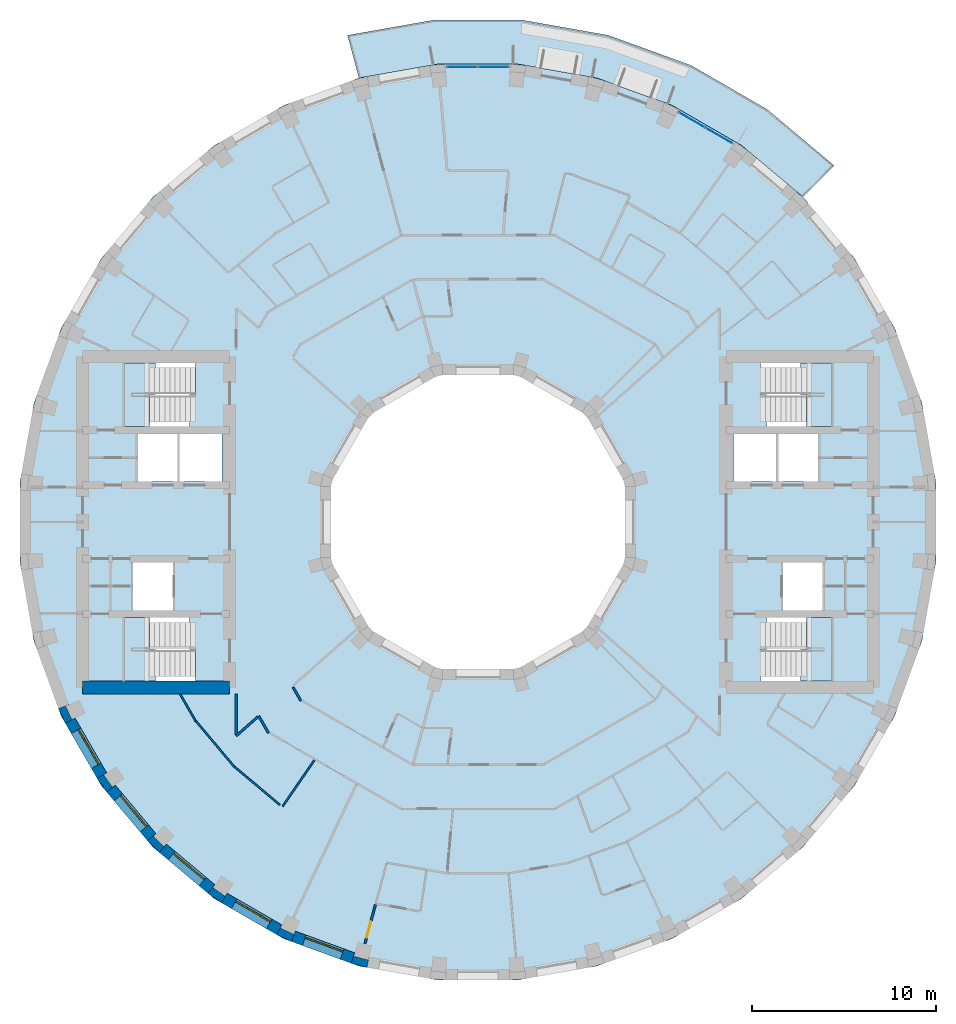
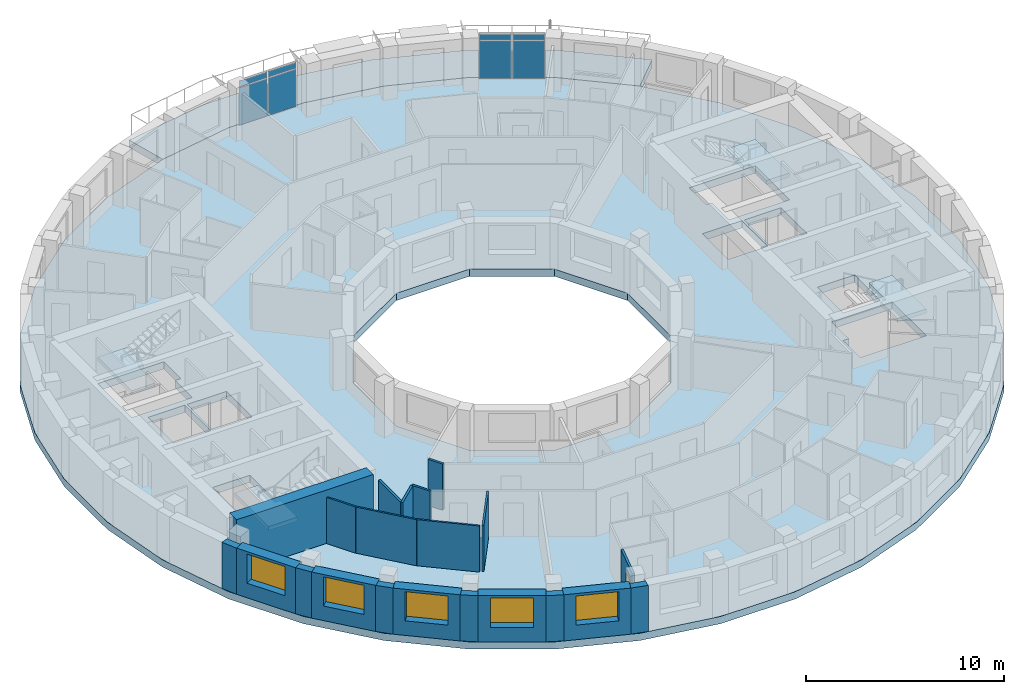
# One storey, part 3 of 13: 21 walls, 8 plates, 6 slabs, 5 windows, 1 door, 6 openings, 6 elements without a shape of their own.
"""IFC4 building model written with IfcOpenShell, lengths in metres."""

from ifc_helpers import new_model, si_unit, direction, frame, frame_2d, origin, origin_2d, place, context, subcontext, project, spatial, polyline, rectangle, outline, extrude, material, layer, layer_set, type_object, element, fill, aggregate, save


model = new_model("IFC4")

# Units and contexts
model_context = context("Model", 3, precision=1e-05, world=origin(), true_north=direction((0.0, 1.0)))
body_context = subcontext(model_context, "Body", "Model", "MODEL_VIEW")
ifc_project = project(units=[si_unit("LENGTHUNIT", "METRE"), si_unit("AREAUNIT", "SQUARE_METRE"), si_unit("VOLUMEUNIT", "CUBIC_METRE"), si_unit("PLANEANGLEUNIT", "RADIAN"), si_unit("MASSUNIT", "GRAM", prefix="KILO")], contexts=[model_context])

# Site, building, storey
site_placement = place(None, origin())
site = spatial("IfcSite", under=ifc_project, at=site_placement, CompositionType="ELEMENT")
building_placement = place(site_placement, origin())
building = spatial("IfcBuilding", under=site, at=building_placement, Name="Saqina Gate Tower", CompositionType="ELEMENT")
storey_placement = place(building_placement, frame((0.0, 0.0, 203.699951171875)))
storey = spatial("IfcBuildingStorey", under=building, at=storey_placement, Name="L58", CompositionType="ELEMENT", Elevation=203.699951171875)

# Curtain wall, plates
ifc_material_1 = material(Name="Aluminium glazing", Category="aluminium")
ifc_layer_1 = layer(ifc_material_1, 0.159912109375)
ifc_layer_set_1 = layer_set([ifc_layer_1], Name="CWT-4")
curtain_wall_type = type_object("IfcCurtainWallType", Name="CWT-4", PredefinedType="NOTDEFINED", material=ifc_layer_set_1)
curtain_wall_1_placement = place(storey_placement, origin())
curtain_wall_1 = element("IfcCurtainWall", 1, at=curtain_wall_1_placement, inside=storey, type_object=curtain_wall_type, Name="Terrace lounge glazing facet 6", PredefinedType="NOTDEFINED")
ifc_material_2 = material(Name="Glass", Category="glass")
ifc_layer_2 = layer(ifc_material_2, 0.028076171875)
ifc_layer_set_2 = layer_set([ifc_layer_2], Name="CWT-4P")
plate_type = type_object("IfcPlateType", Name="CWT-4P", PredefinedType="CURTAIN_PANEL", material=ifc_layer_set_2)
plate_1_placement = place(storey_placement, frame((13.111328125, 21.0146484375, 0.06005859375), z_axis=(0.0, 0.0, 1.0), x_axis=(-0.866017110341, 0.500014364391, 0.0)))
plate_1 = element("IfcPlate", 2, at=plate_1_placement, type_object=plate_type, Name="CW4-06 panel 1.1", PredefinedType="CURTAIN_PANEL", context=body_context, shape_type="SweptSolid", body=[
    extrude(rectangle(XDim=1.634765625, YDim=0.028076171875, at=origin_2d()), origin(), (0.0, 0.0, 1.0), 2.31005859375),
])
plate_2_placement = place(storey_placement, frame((13.111328125, 21.0146484375, 2.43017578125), z_axis=(0.0, 0.0, 1.0), x_axis=(-0.866017110341, 0.500014364391, 0.0)))
plate_2 = element("IfcPlate", 3, at=plate_2_placement, type_object=plate_type, Name="CW4-06 panel 1.2", PredefinedType="CURTAIN_PANEL", context=body_context, shape_type="SweptSolid", body=[
    extrude(rectangle(XDim=1.634765625, YDim=0.028076171875, at=origin_2d()), origin(), (0.0, 0.0, 1.0), 0.360107421875),
])
plate_3_placement = place(storey_placement, frame((11.6435546875, 21.862060546875, 0.06005859375), z_axis=(0.0, 0.0, 1.0), x_axis=(-0.866017110341, 0.500014364391, 0.0)))
plate_3 = element("IfcPlate", 4, at=plate_3_placement, type_object=plate_type, Name="CW4-06 panel 2.1", PredefinedType="CURTAIN_PANEL", context=body_context, shape_type="SweptSolid", body=[
    extrude(rectangle(XDim=1.634765625, YDim=0.028076171875, at=origin_2d()), origin(), (0.0, 0.0, 1.0), 2.31005859375),
])
plate_4_placement = place(storey_placement, frame((11.6435546875, 21.862060546875, 2.43017578125), z_axis=(0.0, 0.0, 1.0), x_axis=(-0.866017110341, 0.500014364391, 0.0)))
plate_4 = element("IfcPlate", 5, at=plate_4_placement, type_object=plate_type, Name="CW4-06 panel 2.2", PredefinedType="CURTAIN_PANEL", context=body_context, shape_type="SweptSolid", body=[
    extrude(rectangle(XDim=1.634765625, YDim=0.028076171875, at=origin_2d()), origin(), (0.0, 0.0, 1.0), 0.360107421875),
])
aggregate(curtain_wall_1, [plate_1, plate_2, plate_3, plate_4])

curtain_wall_2_placement = place(storey_placement, origin())
curtain_wall_2 = element("IfcCurtainWall", 6, at=curtain_wall_2_placement, inside=storey, type_object=curtain_wall_type, Name="Terrace lounge glazing facet 9", PredefinedType="NOTDEFINED")
plate_5_placement = place(storey_placement, frame((0.847412109375, 24.7548828125, 0.06005859375), z_axis=(0.0, 0.0, 1.0), x_axis=(-1.0, 0.0, 0.0)))
plate_5 = element("IfcPlate", 7, at=plate_5_placement, type_object=plate_type, Name="CW4-09 panel 1.1", PredefinedType="CURTAIN_PANEL", context=body_context, shape_type="SweptSolid", body=[
    extrude(rectangle(XDim=1.635009765625, YDim=0.028076171875, at=origin_2d()), origin(), (0.0, 0.0, 1.0), 2.31005859375),
])
plate_6_placement = place(storey_placement, frame((0.847412109375, 24.7548828125, 2.43017578125), z_axis=(0.0, 0.0, 1.0), x_axis=(-1.0, 0.0, 0.0)))
plate_6 = element("IfcPlate", 8, at=plate_6_placement, type_object=plate_type, Name="CW4-09 panel 1.2", PredefinedType="CURTAIN_PANEL", context=body_context, shape_type="SweptSolid", body=[
    extrude(rectangle(XDim=1.635009765625, YDim=0.028076171875, at=origin_2d()), origin(), (0.0, 0.0, 1.0), 0.360107421875),
])
plate_7_placement = place(storey_placement, frame((-0.847412109375, 24.7548828125, 0.06005859375), z_axis=(0.0, 0.0, 1.0), x_axis=(-1.0, 0.0, 0.0)))
plate_7 = element("IfcPlate", 9, at=plate_7_placement, type_object=plate_type, Name="CW4-09 panel 2.1", PredefinedType="CURTAIN_PANEL", context=body_context, shape_type="SweptSolid", body=[
    extrude(rectangle(XDim=1.635009765625, YDim=0.028076171875, at=origin_2d()), origin(), (0.0, 0.0, 1.0), 2.31005859375),
])
plate_8_placement = place(storey_placement, frame((-0.847412109375, 24.7548828125, 2.43017578125), z_axis=(0.0, 0.0, 1.0), x_axis=(-1.0, 0.0, 0.0)))
plate_8 = element("IfcPlate", 10, at=plate_8_placement, type_object=plate_type, Name="CW4-09 panel 2.2", PredefinedType="CURTAIN_PANEL", context=body_context, shape_type="SweptSolid", body=[
    extrude(rectangle(XDim=1.635009765625, YDim=0.028076171875, at=origin_2d()), origin(), (0.0, 0.0, 1.0), 0.360107421875),
])
aggregate(curtain_wall_2, [plate_5, plate_6, plate_7, plate_8])

# Stair, slab
ifc_material_3 = material(Name="Concrete C40/50", Category="concrete")
stair_type = type_object("IfcStairType", Name="EXIT STAIR", PredefinedType="HALF_TURN_STAIR", material=ifc_material_3)
stair_1_placement = place(storey_placement, origin())
stair_1 = element("IfcStair", 11, at=stair_1_placement, inside=storey, type_object=stair_type, Name="EXIT STAIR 1", PredefinedType="HALF_TURN_STAIR")
ifc_material_4 = material(Name="Concrete C40/50", Category="concrete")
ifc_layer_3 = layer(ifc_material_4, 0.25)
ifc_layer_set_3 = layer_set([ifc_layer_3], Name="Concrete C40/50")
slab_type_1 = type_object("IfcSlabType", Name="EXIT STAIR LANDING", PredefinedType="LANDING", material=ifc_layer_set_3)
slab_1_placement = place(storey_placement, frame((0.0, 0.0, 1.400146484375)))
slab_1 = element("IfcSlab", 12, at=slab_1_placement, type_object=slab_type_1, Name="EXIT STAIR 1 LANDING 1", PredefinedType="LANDING", context=body_context, shape_type="SweptSolid", body=[
    extrude(outline(polyline([(19.219970703125, 8.64990234375), (19.219970703125, 5.199951171875), (17.864990234375, 5.199951171875), (17.864990234375, 6.925048828125), (17.534423828125, 6.925048828125), (17.534423828125, 8.64990234375), (17.864990234375, 8.64990234375), (17.8701171875, 8.64990234375), (19.219970703125, 8.64990234375)])), origin(), (0.0, 0.0, 1.0), 0.25),
])
aggregate(stair_1, [slab_1])

stair_2_placement = place(storey_placement, origin())
stair_2 = element("IfcStair", 13, at=stair_2_placement, inside=storey, type_object=stair_type, Name="EXIT STAIR 2", PredefinedType="HALF_TURN_STAIR")
slab_2_placement = place(storey_placement, frame((0.0, 0.0, 1.400146484375)))
slab_2 = element("IfcSlab", 14, at=slab_2_placement, type_object=slab_type_1, Name="EXIT STAIR 2 LANDING 1", PredefinedType="LANDING", context=body_context, shape_type="SweptSolid", body=[
    extrude(outline(polyline([(17.534423828125, -8.64990234375), (17.534423828125, -6.925048828125), (17.864990234375, -6.925048828125), (17.864990234375, -5.199951171875), (19.219970703125, -5.199951171875), (19.219970703125, -8.64990234375), (17.8701171875, -8.64990234375), (17.864990234375, -8.64990234375), (17.534423828125, -8.64990234375)])), origin(), (0.0, 0.0, 1.0), 0.25),
])
aggregate(stair_2, [slab_2])

stair_3_placement = place(storey_placement, origin())
stair_3 = element("IfcStair", 15, at=stair_3_placement, inside=storey, type_object=stair_type, Name="EXIT STAIR 3", PredefinedType="HALF_TURN_STAIR")
slab_3_placement = place(storey_placement, frame((0.0, 0.0, 1.400146484375)))
slab_3 = element("IfcSlab", 16, at=slab_3_placement, type_object=slab_type_1, Name="EXIT STAIR 3 LANDING 1", PredefinedType="LANDING", context=body_context, shape_type="SweptSolid", body=[
    extrude(outline(polyline([(-17.864990234375, 5.199951171875), (-19.219970703125, 5.199951171875), (-19.219970703125, 8.64990234375), (-17.8701171875, 8.64990234375), (-17.864990234375, 8.64990234375), (-17.534423828125, 8.64990234375), (-17.534423828125, 6.925048828125), (-17.864990234375, 6.925048828125), (-17.864990234375, 5.199951171875)])), origin(), (0.0, 0.0, 1.0), 0.25),
])
aggregate(stair_3, [slab_3])

stair_4_placement = place(storey_placement, origin())
stair_4 = element("IfcStair", 17, at=stair_4_placement, inside=storey, type_object=stair_type, Name="EXIT STAIR 4", PredefinedType="HALF_TURN_STAIR")
slab_4_placement = place(storey_placement, frame((0.0, 0.0, 1.400146484375)))
slab_4 = element("IfcSlab", 18, at=slab_4_placement, type_object=slab_type_1, Name="EXIT STAIR 4 LANDING 1", PredefinedType="LANDING", context=body_context, shape_type="SweptSolid", body=[
    extrude(outline(polyline([(-17.534423828125, -6.925048828125), (-17.534423828125, -8.64990234375), (-17.864990234375, -8.64990234375), (-17.8701171875, -8.64990234375), (-19.219970703125, -8.64990234375), (-19.219970703125, -5.199951171875), (-17.864990234375, -5.199951171875), (-17.864990234375, -6.925048828125), (-17.534423828125, -6.925048828125)])), origin(), (0.0, 0.0, 1.0), 0.25),
])
aggregate(stair_4, [slab_4])

# Slabs
ifc_material_5 = material(Name="Concrete C40/50", Category="concrete")
ifc_layer_4 = layer(ifc_material_5, 0.449951171875)
ifc_layer_set_4 = layer_set([ifc_layer_4], Name="Concrete C40/50")
slab_type_2 = type_object("IfcSlabType", Name="STR-POST-TENSIONED FLAT PLATE FLOOR-450", PredefinedType="FLOOR", material=ifc_layer_set_4)
slab_5_placement = place(storey_placement, frame((0.0, 0.0, -0.449951171875)))
element("IfcSlab", 19, at=slab_5_placement, inside=storey, type_object=slab_type_2, Name="L58-SLB01", PredefinedType="FLOOR", context=body_context, shape_type="SweptSolid", body=[
    extrude(outline(polyline([(24.148193359375, -6.470458984375), (24.90478515625, -2.178955078125), (24.90478515625, 2.178955078125), (24.148193359375, 6.470458984375), (22.65771484375, 10.5654296875), (20.478759765625, 14.33935546875), (17.677734375, 17.677734375), (14.33935546875, 20.478759765625), (10.5654296875, 22.65771484375), (6.470458984375, 24.148193359375), (2.178955078125, 24.90478515625), (-2.178955078125, 24.90478515625), (-6.470458984375, 24.148193359375), (-10.5654296875, 22.65771484375), (-14.33935546875, 20.478759765625), (-17.677734375, 17.677734375), (-20.478759765625, 14.33935546875), (-22.65771484375, 10.5654296875), (-24.148193359375, 6.470458984375), (-24.90478515625, 2.178955078125), (-24.90478515625, -2.178955078125), (-24.148193359375, -6.470458984375), (-22.65771484375, -10.5654296875), (-20.478759765625, -14.33935546875), (-17.677734375, -17.677734375), (-14.33935546875, -20.478759765625), (-10.5654296875, -22.65771484375), (-6.470458984375, -24.148193359375), (-2.178955078125, -24.90478515625), (2.178955078125, -24.90478515625), (6.470458984375, -24.148193359375), (10.5654296875, -22.65771484375), (14.33935546875, -20.478759765625), (17.677734375, -17.677734375), (20.478759765625, -14.33935546875), (22.65771484375, -10.5654296875), (24.148193359375, -6.470458984375)]), holes=[polyline([(2.1435546875, 8.0), (5.8564453125, 5.8564453125), (8.0, 2.1435546875), (8.0, -2.1435546875), (5.8564453125, -5.8564453125), (2.1435546875, -8.0), (-2.1435546875, -8.0), (-5.8564453125, -5.8564453125), (-8.0, -2.1435546875), (-8.0, 2.1435546875), (-5.8564453125, 5.8564453125), (-2.1435546875, 8.0), (2.1435546875, 8.0)]), polyline([(-15.35498046875, -8.64990234375), (-19.219970703125, -8.64990234375), (-19.219970703125, -6.925048828125), (-19.219970703125, -5.199951171875), (-15.685546875, -5.199951171875), (-15.685546875, -6.925048828125), (-15.35498046875, -6.925048828125), (-15.35498046875, -8.64990234375)]), polyline([(-16.590087890625, -2.199951171875), (-16.590087890625, -4.800048828125), (-18.75, -4.800048828125), (-18.75, -2.199951171875), (-16.590087890625, -2.199951171875)]), polyline([(-16.340087890625, 4.800048828125), (-16.340087890625, 2.199951171875), (-18.5, 2.199951171875), (-18.5, 4.800048828125), (-16.340087890625, 4.800048828125)]), polyline([(-13.909912109375, 4.800048828125), (-13.909912109375, 2.199951171875), (-16.219970703125, 2.199951171875), (-16.219970703125, 4.800048828125), (-13.909912109375, 4.800048828125)]), polyline([(-19.219970703125, 6.925048828125), (-19.219970703125, 8.64990234375), (-15.35498046875, 8.64990234375), (-15.35498046875, 6.925048828125), (-15.685546875, 6.925048828125), (-15.685546875, 5.199951171875), (-19.219970703125, 5.199951171875), (-19.219970703125, 6.925048828125)]), polyline([(15.35498046875, -8.64990234375), (15.35498046875, -6.925048828125), (15.685546875, -6.925048828125), (15.685546875, -5.199951171875), (19.219970703125, -5.199951171875), (19.219970703125, -6.925048828125), (19.219970703125, -8.64990234375), (15.35498046875, -8.64990234375)]), polyline([(18.75, -2.199951171875), (18.75, -4.800048828125), (16.590087890625, -4.800048828125), (16.590087890625, -2.199951171875), (18.75, -2.199951171875)]), polyline([(16.219970703125, 4.800048828125), (16.219970703125, 2.199951171875), (13.909912109375, 2.199951171875), (13.909912109375, 4.800048828125), (16.219970703125, 4.800048828125)]), polyline([(18.5, 4.800048828125), (18.5, 2.199951171875), (16.340087890625, 2.199951171875), (16.340087890625, 4.800048828125), (18.5, 4.800048828125)]), polyline([(15.685546875, 6.925048828125), (15.35498046875, 6.925048828125), (15.35498046875, 8.64990234375), (19.219970703125, 8.64990234375), (19.219970703125, 6.925048828125), (19.219970703125, 5.199951171875), (15.685546875, 5.199951171875), (15.685546875, 6.925048828125)])]), origin(), (0.0, 0.0, 1.0), 0.449951171875),
])
ifc_material_6 = material(Name="Concrete C40/50", Category="concrete")
ifc_layer_5 = layer(ifc_material_6, 0.449951171875)
ifc_layer_set_5 = layer_set([ifc_layer_5], Name="Concrete C40/50")
slab_type_3 = type_object("IfcSlabType", Name="STR-POST-TENSIONED FLAT PLATE TERRACE-450", PredefinedType="FLOOR", material=ifc_layer_set_5)
slab_6_placement = place(storey_placement, frame((0.0, 0.0, -0.449951171875)))
element("IfcSlab", 20, at=slab_6_placement, inside=storey, type_object=slab_type_3, Name="L58-TRS01", PredefinedType="FLOOR", context=body_context, shape_type="SweptSolid", body=[
    extrude(outline(polyline([(17.677734375, 17.677734375), (14.33935546875, 20.478759765625), (10.5654296875, 22.65771484375), (6.470458984375, 24.148193359375), (2.178955078125, 24.90478515625), (-2.178955078125, 24.90478515625), (-6.470458984375, 24.148193359375), (-7.093994140625, 26.475341796875), (-2.388916015625, 27.304931640625), (2.388916015625, 27.304931640625), (7.093994140625, 26.475341796875), (11.58349609375, 24.841064453125), (15.72119140625, 22.452392578125), (19.381103515625, 19.381103515625), (17.677734375, 17.677734375)])), origin(), (0.0, 0.0, 1.0), 0.449951171875),
])

# Walls
ifc_material_7 = material(Name="Brick masonry (buff)", Category="masonry")
wall_type_1 = type_object("IfcWallType", Name="BRICK PIER COPING BUFF", PredefinedType="SOLIDWALL", material=ifc_material_7)
wall_1_placement = place(storey_placement, origin())
element("IfcWall", 21, at=wall_1_placement, inside=storey, type_object=wall_type_1, Name="Pier cap L58 column 21", PredefinedType="SOLIDWALL", context=body_context, shape_type="SweptSolid", body=[
    extrude(outline(polyline([(-22.4306640625, -10.958740234375), (-21.9111328125, -10.65869140625), (-22.080810546875, -10.73779296875), (-22.4189453125, -10.0126953125), (-22.249267578125, -9.93359375), (-22.81298828125, -10.138916015625), (-22.4306640625, -10.958740234375)])), origin(), (0.0, 0.0, 1.0), 2.85009765625),
])
wall_2_placement = place(storey_placement, origin())
element("IfcWall", 22, at=wall_2_placement, inside=storey, type_object=wall_type_1, Name="Pier cap L58 column 22", PredefinedType="SOLIDWALL", context=body_context, shape_type="SweptSolid", body=[
    extrude(outline(polyline([(-20.705810546875, -13.9462890625), (-20.18701171875, -14.687255859375), (-19.727294921875, -14.301513671875), (-19.880859375, -14.408935546875), (-20.339599609375, -13.753662109375), (-20.186279296875, -13.646240234375), (-20.705810546875, -13.9462890625)])), origin(), (0.0, 0.0, 1.0), 2.85009765625),
])
wall_3_placement = place(storey_placement, origin())
element("IfcWall", 23, at=wall_3_placement, inside=storey, type_object=wall_type_1, Name="Pier cap L58 column 23", PredefinedType="SOLIDWALL", context=body_context, shape_type="SweptSolid", body=[
    extrude(outline(polyline([(-17.329833984375, -17.969482421875), (-16.944091796875, -17.510009765625), (-17.07666015625, -17.642333984375), (-17.642333984375, -17.07666015625), (-17.510009765625, -16.944091796875), (-17.969482421875, -17.329833984375), (-17.329833984375, -17.969482421875)])), origin(), (0.0, 0.0, 1.0), 2.85009765625),
])
wall_4_placement = place(storey_placement, origin())
element("IfcWall", 24, at=wall_4_placement, inside=storey, type_object=wall_type_1, Name="Pier cap L58 column 24", PredefinedType="SOLIDWALL", context=body_context, shape_type="SweptSolid", body=[
    extrude(outline(polyline([(-14.687255859375, -20.18701171875), (-13.9462890625, -20.705810546875), (-13.646240234375, -20.186279296875), (-13.753662109375, -20.339599609375), (-14.408935546875, -19.880859375), (-14.301513671875, -19.727294921875), (-14.687255859375, -20.18701171875)])), origin(), (0.0, 0.0, 1.0), 2.85009765625),
])
wall_5_placement = place(storey_placement, origin())
element("IfcWall", 25, at=wall_5_placement, inside=storey, type_object=wall_type_1, Name="Pier cap L58 column 25", PredefinedType="SOLIDWALL", context=body_context, shape_type="SweptSolid", body=[
    extrude(outline(polyline([(-10.138916015625, -22.81298828125), (-9.93359375, -22.249267578125), (-10.0126953125, -22.4189453125), (-10.73779296875, -22.080810546875), (-10.65869140625, -21.9111328125), (-10.958740234375, -22.4306640625), (-10.138916015625, -22.81298828125)])), origin(), (0.0, 0.0, 1.0), 2.85009765625),
])
wall_6_placement = place(storey_placement, origin())
element("IfcWall", 26, at=wall_6_placement, inside=storey, type_object=wall_type_1, Name="Pier cap L58 column 26", PredefinedType="SOLIDWALL", context=body_context, shape_type="SweptSolid", body=[
    extrude(outline(polyline([(-6.0234375, -24.22705078125), (-5.919189453125, -23.635986328125), (-5.967529296875, -23.81689453125), (-6.740478515625, -23.610107421875), (-6.69189453125, -23.428955078125), (-6.897216796875, -23.992919921875), (-6.0234375, -24.22705078125)])), origin(), (0.0, 0.0, 1.0), 2.85009765625),
])

# Wall, opening, window
ifc_material_8 = material(Name="Brick masonry (buff)", Category="masonry")
ifc_layer_6 = layer(ifc_material_8, 0.60009765625)
ifc_layer_set_6 = layer_set([ifc_layer_6], Name="FW-BRICK-BUFF")
wall_type_2 = type_object("IfcWallType", Name="FW-BRICK-BUFF", PredefinedType="SOLIDWALL", material=ifc_layer_set_6)
wall_7_placement = place(storey_placement, frame((-22.1708984375, -10.80859375, 0.0), z_axis=(0.0, 0.0, 1.0), x_axis=(0.499998129301, -0.86602648383, 0.0)))
wall_7 = element("IfcWall", 27, at=wall_7_placement, inside=storey, type_object=wall_type_2, Name="Facade wall L58 facet 21", PredefinedType="SOLIDWALL", context=body_context, shape_type="SweptSolid", body=[
    extrude(rectangle(XDim=3.44970703125, YDim=0.60009765625, at=frame_2d((1.724853515625, 0.0))), origin(), (0.0, 0.0, 1.0), 2.85009765625),
])
opening_1_placement = place(wall_7_placement, frame((0.625, 0.0, 0.89990234375)))
opening_1 = element("IfcOpeningElement", 28, at=opening_1_placement, cuts=wall_7, Name="Opening G17-W10", PredefinedType="OPENING", context=body_context, shape_type="SweptSolid", body=[
    extrude(rectangle(XDim=2.199951171875, YDim=1.800048828125, at=frame_2d((1.10009765625, 0.89990234375))), frame((0.0, 0.31201171875, 0.0), z_axis=(0.0, -1.0, 0.0), x_axis=(1.0, 0.0, 0.0)), (0.0, 0.0, 1.0), 0.6240234375),
])
ifc_material_9 = material(Name="Aluminium glazing", Category="aluminium")
window_type = type_object("IfcWindowType", Name="WN-C", PartitioningType="SINGLE_PANEL", PredefinedType="WINDOW", material=ifc_material_9)
window_1_placement = place(opening_1_placement, origin())
window_1 = element("IfcWindow", 29, at=window_1_placement, inside=storey, type_object=window_type, Name="Window L58 facet 21", OverallHeight=1.800048828125, OverallWidth=2.199951171875, PartitioningType="SINGLE_PANEL", PredefinedType="WINDOW", context=body_context, shape_type="SweptSolid", body=[
    extrude(rectangle(XDim=2.199951171875, YDim=1.800048828125, at=frame_2d((1.10009765625, 0.89990234375))), frame((0.0, 0.179931640625, 0.0), z_axis=(0.0, -1.0, 0.0), x_axis=(1.0, 0.0, 0.0)), (0.0, 0.0, 1.0), 0.06005859375),
])
fill(opening_1, window_1)

wall_8_placement = place(storey_placement, frame((-19.95703125, -14.494384765625, 0.0), z_axis=(0.0, 0.0, 1.0), x_axis=(0.642770398358, -0.766058884809, 0.0)))
wall_8 = element("IfcWall", 30, at=wall_8_placement, inside=storey, type_object=wall_type_2, Name="Facade wall L58 facet 22", PredefinedType="SOLIDWALL", context=body_context, shape_type="SweptSolid", body=[
    extrude(rectangle(XDim=3.449462890625, YDim=0.60009765625, at=frame_2d((1.724609375, 0.0))), origin(), (0.0, 0.0, 1.0), 2.85009765625),
])
opening_2_placement = place(wall_8_placement, frame((0.625, 0.0, 0.89990234375)))
opening_2 = element("IfcOpeningElement", 31, at=opening_2_placement, cuts=wall_8, Name="Opening G17-W11", PredefinedType="OPENING", context=body_context, shape_type="SweptSolid", body=[
    extrude(rectangle(XDim=2.199951171875, YDim=1.800048828125, at=frame_2d((1.10009765625, 0.89990234375))), frame((0.0, 0.31201171875, 0.0), z_axis=(0.0, -1.0, 0.0), x_axis=(1.0, 0.0, 0.0)), (0.0, 0.0, 1.0), 0.6240234375),
])
window_2_placement = place(opening_2_placement, origin())
window_2 = element("IfcWindow", 32, at=window_2_placement, inside=storey, type_object=window_type, Name="Window L58 facet 22", OverallHeight=1.800048828125, OverallWidth=2.199951171875, PartitioningType="SINGLE_PANEL", PredefinedType="WINDOW", context=body_context, shape_type="SweptSolid", body=[
    extrude(rectangle(XDim=2.199951171875, YDim=1.800048828125, at=frame_2d((1.10009765625, 0.89990234375))), frame((0.0, 0.179931640625, 0.0), z_axis=(0.0, -1.0, 0.0), x_axis=(1.0, 0.0, 0.0)), (0.0, 0.0, 1.0), 0.06005859375),
])
fill(opening_2, window_2)

wall_9_placement = place(storey_placement, frame((-17.136962890625, -17.73974609375, 0.0), z_axis=(0.0, 0.0, 1.0), x_axis=(0.766058884809, -0.642770398358, 0.0)))
wall_9 = element("IfcWall", 33, at=wall_9_placement, inside=storey, type_object=wall_type_2, Name="Facade wall L58 facet 23", PredefinedType="SOLIDWALL", context=body_context, shape_type="SweptSolid", body=[
    extrude(rectangle(XDim=3.449462890625, YDim=0.60009765625, at=frame_2d((1.724609375, 0.0))), origin(), (0.0, 0.0, 1.0), 2.85009765625),
])
opening_3_placement = place(wall_9_placement, frame((0.625, 0.0, 0.89990234375)))
opening_3 = element("IfcOpeningElement", 34, at=opening_3_placement, cuts=wall_9, Name="Opening G17-W12", PredefinedType="OPENING", context=body_context, shape_type="SweptSolid", body=[
    extrude(rectangle(XDim=2.199951171875, YDim=1.800048828125, at=frame_2d((1.10009765625, 0.89990234375))), frame((0.0, 0.31201171875, 0.0), z_axis=(0.0, -1.0, 0.0), x_axis=(1.0, 0.0, 0.0)), (0.0, 0.0, 1.0), 0.6240234375),
])
window_3_placement = place(opening_3_placement, origin())
window_3 = element("IfcWindow", 35, at=window_3_placement, inside=storey, type_object=window_type, Name="Window L58 facet 23", OverallHeight=1.800048828125, OverallWidth=2.199951171875, PartitioningType="SINGLE_PANEL", PredefinedType="WINDOW", context=body_context, shape_type="SweptSolid", body=[
    extrude(rectangle(XDim=2.199951171875, YDim=1.800048828125, at=frame_2d((1.10009765625, 0.89990234375))), frame((0.0, 0.179931640625, 0.0), z_axis=(0.0, -1.0, 0.0), x_axis=(1.0, 0.0, 0.0)), (0.0, 0.0, 1.0), 0.06005859375),
])
fill(opening_3, window_3)

wall_10_placement = place(storey_placement, frame((-13.796142578125, -20.446044921875, 0.0), z_axis=(0.0, 0.0, 1.0), x_axis=(0.86602648383, -0.499998129301, 0.0)))
wall_10 = element("IfcWall", 36, at=wall_10_placement, inside=storey, type_object=wall_type_2, Name="Facade wall L58 facet 24", PredefinedType="SOLIDWALL", context=body_context, shape_type="SweptSolid", body=[
    extrude(rectangle(XDim=3.44970703125, YDim=0.60009765625, at=frame_2d((1.724853515625, 0.0))), origin(), (0.0, 0.0, 1.0), 2.85009765625),
])
opening_4_placement = place(wall_10_placement, frame((0.625, 0.0, 0.89990234375)))
opening_4 = element("IfcOpeningElement", 37, at=opening_4_placement, cuts=wall_10, Name="Opening G17-W13", PredefinedType="OPENING", context=body_context, shape_type="SweptSolid", body=[
    extrude(rectangle(XDim=2.199951171875, YDim=1.800048828125, at=frame_2d((1.10009765625, 0.89990234375))), frame((0.0, 0.31201171875, 0.0), z_axis=(0.0, -1.0, 0.0), x_axis=(1.0, 0.0, 0.0)), (0.0, 0.0, 1.0), 0.6240234375),
])
window_4_placement = place(opening_4_placement, origin())
window_4 = element("IfcWindow", 38, at=window_4_placement, inside=storey, type_object=window_type, Name="Window L58 facet 24", OverallHeight=1.800048828125, OverallWidth=2.199951171875, PartitioningType="SINGLE_PANEL", PredefinedType="WINDOW", context=body_context, shape_type="SweptSolid", body=[
    extrude(rectangle(XDim=2.199951171875, YDim=1.800048828125, at=frame_2d((1.10009765625, 0.89990234375))), frame((0.0, 0.179931640625, 0.0), z_axis=(0.0, -1.0, 0.0), x_axis=(1.0, 0.0, 0.0)), (0.0, 0.0, 1.0), 0.06005859375),
])
fill(opening_4, window_4)

wall_11_placement = place(storey_placement, frame((-10.0361328125, -22.531005859375, 0.0), z_axis=(0.0, 0.0, 1.0), x_axis=(0.93968799822, -0.342032843455, 0.0)))
wall_11 = element("IfcWall", 39, at=wall_11_placement, inside=storey, type_object=wall_type_2, Name="Facade wall L58 facet 25", PredefinedType="SOLIDWALL", context=body_context, shape_type="SweptSolid", body=[
    extrude(rectangle(XDim=3.44970703125, YDim=0.60009765625, at=frame_2d((1.724853515625, 0.0))), origin(), (0.0, 0.0, 1.0), 2.85009765625),
])
opening_5_placement = place(wall_11_placement, frame((0.625, 0.0, 0.89990234375)))
opening_5 = element("IfcOpeningElement", 40, at=opening_5_placement, cuts=wall_11, Name="Opening G17-W14", PredefinedType="OPENING", context=body_context, shape_type="SweptSolid", body=[
    extrude(rectangle(XDim=2.199951171875, YDim=1.800048828125, at=frame_2d((1.10009765625, 0.89990234375))), frame((0.0, 0.31201171875, 0.0), z_axis=(0.0, -1.0, 0.0), x_axis=(1.0, 0.0, 0.0)), (0.0, 0.0, 1.0), 0.6240234375),
])
window_5_placement = place(opening_5_placement, origin())
window_5 = element("IfcWindow", 41, at=window_5_placement, inside=storey, type_object=window_type, Name="Window L58 facet 25", OverallHeight=1.800048828125, OverallWidth=2.199951171875, PartitioningType="SINGLE_PANEL", PredefinedType="WINDOW", context=body_context, shape_type="SweptSolid", body=[
    extrude(rectangle(XDim=2.199951171875, YDim=1.800048828125, at=frame_2d((1.10009765625, 0.89990234375))), frame((0.0, 0.179931640625, 0.0), z_axis=(0.0, -1.0, 0.0), x_axis=(1.0, 0.0, 0.0)), (0.0, 0.0, 1.0), 0.06005859375),
])
fill(opening_5, window_5)

# Walls
ifc_material_10 = material(Name="Gypsum board on steel studs, 100 mm", Category="steel")
ifc_layer_7 = layer(ifc_material_10, 0.10009765625)
ifc_layer_set_7 = layer_set([ifc_layer_7], Name="PARTITION 100")
wall_type_3 = type_object("IfcWallType", Name="PARTITION 100", PredefinedType="PARTITIONING", material=ifc_layer_set_7)
wall_12_placement = place(storey_placement, frame((-16.199951171875, -9.35009765625, 0.0), z_axis=(0.0, 0.0, 1.0), x_axis=(0.499589038157, -0.866262542739, 0.0)))
element("IfcWall", 42, at=wall_12_placement, inside=storey, type_object=wall_type_3, Name="PARTITION PW3-10", PredefinedType="PARTITIONING", context=body_context, shape_type="SweptSolid", body=[
    extrude(rectangle(XDim=1.68994140625, YDim=0.10009765625, at=frame_2d((0.844970703125, 0.0))), origin(), (0.0, 0.0, 1.0), 2.85009765625),
])
wall_13_placement = place(storey_placement, frame((-15.348876953125, -10.808349609375, 0.0), z_axis=(0.0, 0.0, 1.0), x_axis=(0.642857965628, -0.765985401968, 0.0)))
element("IfcWall", 43, at=wall_13_placement, inside=storey, type_object=wall_type_3, Name="PARTITION PW3-15", PredefinedType="PARTITIONING", context=body_context, shape_type="SweptSolid", body=[
    extrude(rectangle(XDim=3.273681640625, YDim=0.10009765625, at=frame_2d((1.63671875, 0.0))), origin(), (0.0, 0.0, 1.0), 2.85009765625),
])
wall_14_placement = place(storey_placement, frame((-13.23876953125, -13.30908203125, 0.0), z_axis=(0.0, 0.0, 1.0), x_axis=(0.76596892519, -0.642877597714, 0.0)))
element("IfcWall", 44, at=wall_14_placement, inside=storey, type_object=wall_type_3, Name="PARTITION PW3-23", PredefinedType="PARTITIONING", context=body_context, shape_type="SweptSolid", body=[
    extrude(rectangle(XDim=3.22314453125, YDim=0.10009765625, at=frame_2d((1.611572265625, 0.0))), origin(), (0.0, 0.0, 1.0), 2.85009765625),
])
wall_15_placement = place(storey_placement, frame((-10.623046875, -15.465087890625, 0.0), z_axis=(0.0, 0.0, 1.0), x_axis=(0.566094144379, 0.824340596902, 0.0)))
element("IfcWall", 45, at=wall_15_placement, inside=storey, type_object=wall_type_3, Name="PARTITION PW3-56", PredefinedType="PARTITIONING", context=body_context, shape_type="SweptSolid", body=[
    extrude(rectangle(XDim=3.0517578125, YDim=0.10009765625, at=frame_2d((1.52587890625, 0.0))), origin(), (0.0, 0.0, 1.0), 2.85009765625),
])
ifc_material_11 = material(Name="Gypsum board on steel studs, 125 mm, fire rated", Category="steel")
ifc_layer_8 = layer(ifc_material_11, 0.125)
ifc_layer_set_8 = layer_set([ifc_layer_8], Name="PARTITION EI 30 125")
wall_type_4 = type_object("IfcWallType", Name="PARTITION EI 30 125", PredefinedType="PARTITIONING", material=ifc_layer_set_8)
wall_16_placement = place(storey_placement, frame((-11.923095703125, -10.549072265625, 0.0), z_axis=(0.0, 0.0, 1.0), x_axis=(0.500304011038, -0.865849811769, 0.0)))
element("IfcWall", 46, at=wall_16_placement, inside=storey, type_object=wall_type_4, Name="PARTITION PW1-02", PredefinedType="PARTITIONING", context=body_context, shape_type="SweptSolid", body=[
    extrude(rectangle(XDim=1.077880859375, YDim=0.125, at=frame_2d((0.5390625, 0.0))), origin(), (0.0, 0.0, 1.0), 2.85009765625),
])
wall_17_placement = place(storey_placement, frame((-10.0576171875, -8.980224609375, 0.0), z_axis=(0.0, 0.0, 1.0), x_axis=(0.500409926597, -0.865788603161, 0.0)))
element("IfcWall", 47, at=wall_17_placement, inside=storey, type_object=wall_type_4, Name="PARTITION PW1-03", PredefinedType="PARTITIONING", context=body_context, shape_type="SweptSolid", body=[
    extrude(rectangle(XDim=0.860595703125, YDim=0.125, at=frame_2d((0.43017578125, 0.0))), origin(), (0.0, 0.0, 1.0), 2.85009765625),
])
wall_18_placement = place(storey_placement, frame((-13.14990234375, -11.634033203125, 0.0), z_axis=(0.0, 0.0, 1.0), x_axis=(0.748946277056, 0.662630722261, 0.0)))
element("IfcWall", 48, at=wall_18_placement, inside=storey, type_object=wall_type_4, Name="PARTITION PW1-36", PredefinedType="PARTITIONING", context=body_context, shape_type="SweptSolid", body=[
    extrude(rectangle(XDim=1.575439453125, YDim=0.125, at=frame_2d((0.78759765625, 0.0))), origin(), (0.0, 0.0, 1.0), 2.85009765625),
])

# Wall, opening, door
wall_19_placement = place(storey_placement, frame((-6.145751953125, -22.9306640625, 0.0), z_axis=(0.0, 0.0, 1.0), x_axis=(0.259544407095, 0.965731174161, 0.0)))
wall_19 = element("IfcWall", 49, at=wall_19_placement, inside=storey, type_object=wall_type_4, Name="PARTITION PW1-45", PredefinedType="PARTITIONING", context=body_context, shape_type="SweptSolid", body=[
    extrude(rectangle(XDim=2.203857421875, YDim=0.125, at=frame_2d((1.10205078125, 0.0))), origin(), (0.0, 0.0, 1.0), 2.85009765625),
])
opening_6_placement = place(wall_19_placement, frame((0.3486328125, 0.0, 0.0)))
opening_6 = element("IfcOpeningElement", 50, at=opening_6_placement, cuts=wall_19, Name="Opening G17-D31", PredefinedType="OPENING", context=body_context, shape_type="SweptSolid", body=[
    extrude(rectangle(XDim=0.89990234375, YDim=2.10009765625, at=frame_2d((0.449951171875, 1.050048828125))), frame((0.0, 0.074462890625, 0.0), z_axis=(0.0, -1.0, 0.0), x_axis=(1.0, 0.0, 0.0)), (0.0, 0.0, 1.0), 0.14892578125),
])
ifc_material_12 = material(Name="Fire door leaf EI 30, 900 mm")
door_type = type_object("IfcDoorType", Name="DOOR 900 EI 30", OperationType="SINGLE_SWING_LEFT", PredefinedType="DOOR", material=ifc_material_12)
door_placement = place(opening_6_placement, origin())
door = element("IfcDoor", 51, at=door_placement, inside=storey, type_object=door_type, Name="DOOR G17-D31", OperationType="SINGLE_SWING_LEFT", OverallHeight=2.10009765625, OverallWidth=0.89990234375, PredefinedType="DOOR", context=body_context, shape_type="SweptSolid", body=[
    extrude(rectangle(XDim=0.89990234375, YDim=2.10009765625, at=frame_2d((0.449951171875, 1.050048828125))), frame((0.0, 0.02490234375, 0.0), z_axis=(0.0, -1.0, 0.0), x_axis=(1.0, 0.0, 0.0)), (0.0, 0.0, 1.0), 0.050048828125),
])
fill(opening_6, door)

# Walls
wall_20_placement = place(storey_placement, frame((-13.14990234375, -11.571533203125, 0.0), z_axis=(0.0, 0.0, 1.0), x_axis=(0.0, 1.0, 0.0)))
element("IfcWall", 52, at=wall_20_placement, inside=storey, type_object=wall_type_4, Name="PARTITION PW1-48", PredefinedType="PARTITIONING", context=body_context, shape_type="SweptSolid", body=[
    extrude(rectangle(XDim=2.221435546875, YDim=0.125, at=frame_2d((1.11083984375, 0.0))), origin(), (0.0, 0.0, 1.0), 2.85009765625),
])
ifc_material_13 = material(Name="Concrete C60/75", Category="concrete")
ifc_layer_9 = layer(ifc_material_13, 0.699951171875)
ifc_layer_set_9 = layer_set([ifc_layer_9], Name="Concrete C60/75")
wall_type_5 = type_object("IfcWallType", Name="STR-CORE WALL-C-O", PredefinedType="SHEAR", material=ifc_layer_set_9)
wall_21_placement = place(storey_placement, frame((-13.5, -9.0, 0.0), z_axis=(0.0, 0.0, 1.0), x_axis=(-1.0, 0.0, 0.0)))
element("IfcWall", 53, at=wall_21_placement, inside=storey, type_object=wall_type_5, Name="CORE WALL L58 W-SE", PredefinedType="SHEAR", context=body_context, shape_type="SweptSolid", body=[
    extrude(rectangle(XDim=8.0, YDim=0.699951171875, at=frame_2d((4.0, 0.0))), origin(), (0.0, 0.0, 1.0), 3.300048828125),
])

save(model, "model.ifc")
